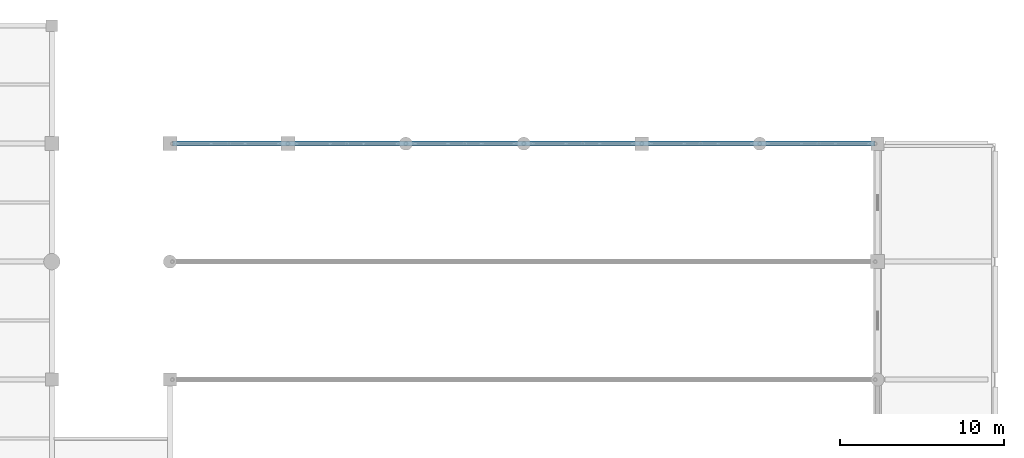
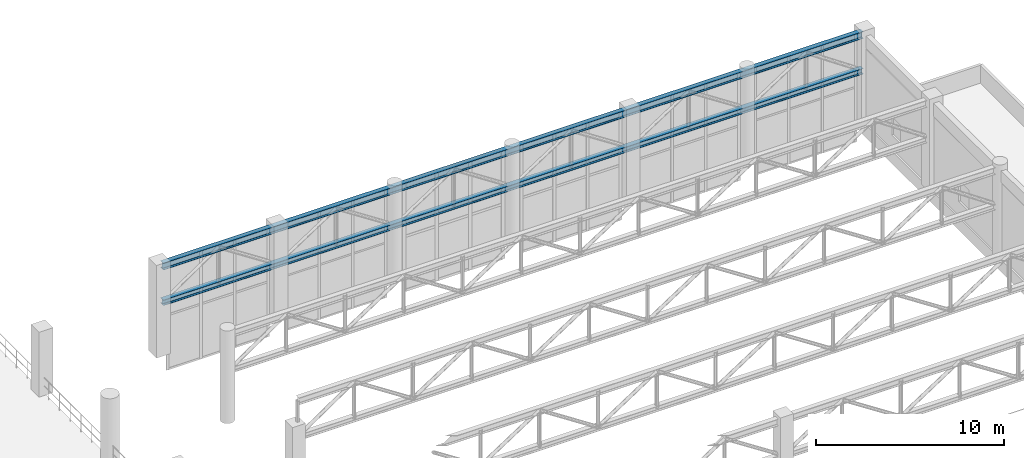
# One storey, part 103 of 153: 2 beams.
"""IFC4 building model written with IfcOpenShell, lengths in metres."""

from ifc_helpers import new_model, si_unit, direction, frame, origin, origin_2d, place, context, subcontext, project, spatial, i_section, extrude, material, material_profile, profile_set, type_object, element, save


model = new_model("IFC4")

# Units and contexts
model_context = context("Model", 3, precision=1e-05, world=origin(), true_north=direction((0.0, 1.0)))
body_context = subcontext(model_context, "Body", "Model", "MODEL_VIEW")
ifc_project = project(units=[si_unit("LENGTHUNIT", "METRE"), si_unit("AREAUNIT", "SQUARE_METRE"), si_unit("VOLUMEUNIT", "CUBIC_METRE"), si_unit("PLANEANGLEUNIT", "RADIAN"), si_unit("MASSUNIT", "GRAM", prefix="KILO")], contexts=[model_context])

# Site, building, storey
site_placement = place(None, origin())
site = spatial("IfcSite", under=ifc_project, at=site_placement, CompositionType="ELEMENT")
building_placement = place(site_placement, origin())
building = spatial("IfcBuilding", under=site, at=building_placement, Name="Qandorah Velis Arena", CompositionType="ELEMENT")
storey_placement = place(building_placement, frame((0.0, 0.0, 5.39990234375)))
storey = spatial("IfcBuildingStorey", under=building, at=storey_placement, Name="L01", CompositionType="ELEMENT", Elevation=5.39990234375)

# Beams
ifc_material = material(Name="Steel S355", Category="steel")
ifc_material_profile_1 = material_profile(ifc_material, i_section(OverallWidth=0.300048828125, OverallDepth=0.360107421875, WebThickness=0.012451171875, FlangeThickness=0.0224609375, FilletRadius=0.027099609375, at=origin_2d()), Name="HEB 360")
ifc_profile_set_1 = profile_set([ifc_material_profile_1], Name="Steel S355")
beam_type_1 = type_object("IfcBeamType", Name="STR-BM-HEB360", PredefinedType="BEAM", material=ifc_profile_set_1)
beam_1_placement = place(storey_placement, frame((122.550048828125, 122.39990234375, 3.205078125), z_axis=(1.0, 0.0, 0.0), x_axis=(0.0, 1.0, 0.0)))
element("IfcBeam", 1, at=beam_1_placement, inside=storey, type_object=beam_type_1, Name="Practice court roof truss 5 bottom chord", PredefinedType="BEAM", context=body_context, shape_type="SweptSolid", body=[
    extrude(i_section(OverallWidth=0.300048828125, OverallDepth=0.360107421875, WebThickness=0.012451171875, FlangeThickness=0.0224609375, FilletRadius=0.027099609375, at=origin_2d()), origin(), (0.0, 0.0, 1.0), 42.89990234375),
])
ifc_material_profile_2 = material_profile(ifc_material, i_section(OverallWidth=0.300048828125, OverallDepth=0.449951171875, WebThickness=0.013916015625, FlangeThickness=0.02587890625, FilletRadius=0.027099609375, at=origin_2d()), Name="HEB 450")
ifc_profile_set_2 = profile_set([ifc_material_profile_2], Name="Steel S355")
beam_type_2 = type_object("IfcBeamType", Name="STR-BM-HEB450", PredefinedType="BEAM", material=ifc_profile_set_2)
beam_2_placement = place(storey_placement, frame((122.550048828125, 122.39990234375, 5.55517578125), z_axis=(1.0, 0.0, 0.0), x_axis=(0.0, 1.0, 0.0)))
element("IfcBeam", 2, at=beam_2_placement, inside=storey, type_object=beam_type_2, Name="Practice court roof truss 5 top chord", PredefinedType="BEAM", context=body_context, shape_type="SweptSolid", body=[
    extrude(i_section(OverallWidth=0.300048828125, OverallDepth=0.449951171875, WebThickness=0.013916015625, FlangeThickness=0.02587890625, FilletRadius=0.027099609375, at=origin_2d()), origin(), (0.0, 0.0, 1.0), 42.89990234375),
])

save(model, "model.ifc")
